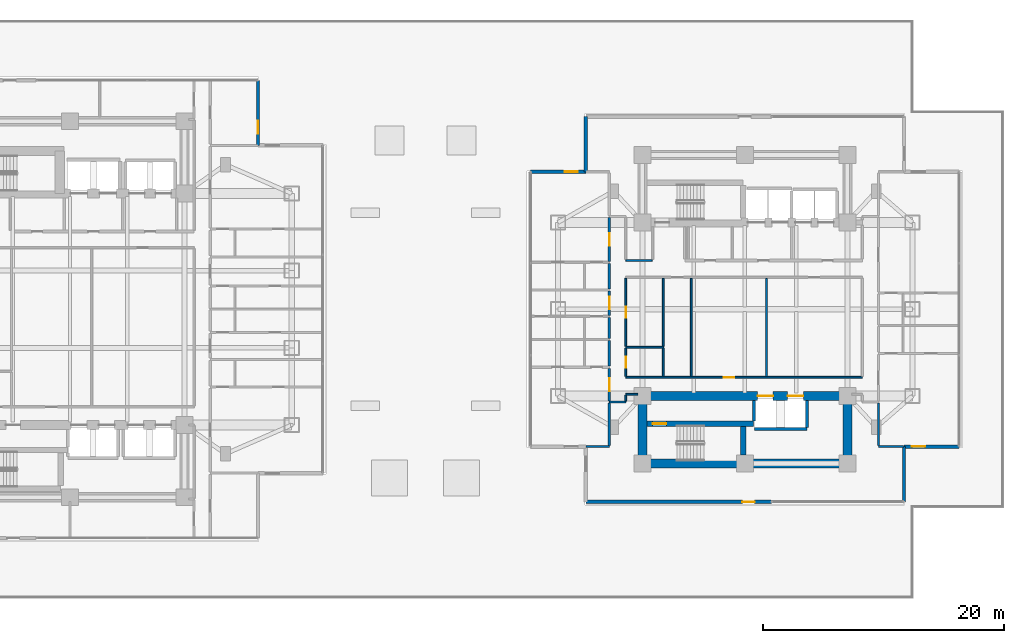
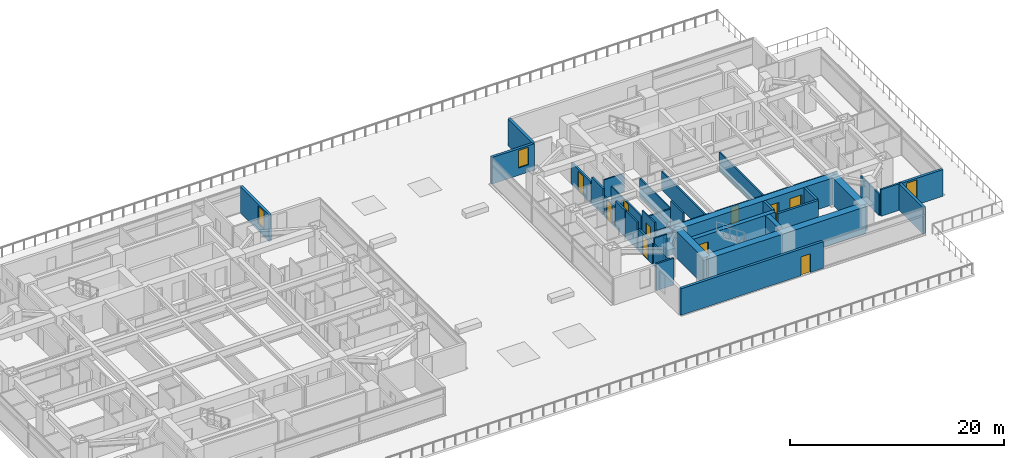
# One storey, part 16 of 26: 37 walls, 10 doors, 3 windows, 13 openings.
"""IFC4 building model written with IfcOpenShell, lengths in metres."""

from ifc_helpers import new_model, si_unit, direction, frame, frame_2d, origin, place, context, subcontext, project, spatial, rectangle, extrude, material, layer, layer_set, type_object, element, fill, save


model = new_model("IFC4")

# Units and contexts
model_context = context("Model", 3, precision=1e-05, world=origin(), true_north=direction((0.0, 1.0)))
body_context = subcontext(model_context, "Body", "Model", "MODEL_VIEW")
ifc_project = project(units=[si_unit("LENGTHUNIT", "METRE"), si_unit("AREAUNIT", "SQUARE_METRE"), si_unit("VOLUMEUNIT", "CUBIC_METRE"), si_unit("PLANEANGLEUNIT", "RADIAN"), si_unit("MASSUNIT", "GRAM", prefix="KILO")], contexts=[model_context])

# Site, building, storey
site_placement = place(None, origin())
site = spatial("IfcSite", under=ifc_project, at=site_placement, CompositionType="ELEMENT")
building_placement = place(site_placement, origin())
building = spatial("IfcBuilding", under=site, at=building_placement, Name="Mirazonda Arch Towers", CompositionType="ELEMENT")
storey_placement = place(building_placement, frame((0.0, 0.0, 22.39990234375)))
storey = spatial("IfcBuildingStorey", under=building, at=storey_placement, Name="L05", CompositionType="ELEMENT", Elevation=22.39990234375)

# Wall, opening, door
ifc_material_1 = material(Name="Concrete C50/60", Category="concrete")
ifc_layer_1 = layer(ifc_material_1, 0.449951171875, Name="WALL-CORE-450")
ifc_layer_set_1 = layer_set([ifc_layer_1], Name="Concrete C50/60")
wall_type_1 = type_object("IfcWallType", Name="WALL-CORE-450", PredefinedType="SHEAR", material=ifc_layer_set_1)
wall_1_placement = place(storey_placement, frame((68.3701171875, 18.5, 0.0), z_axis=(0.0, 0.0, 1.0), x_axis=(1.0, 0.0, 0.0)))
wall_1 = element("IfcWall", 1, at=wall_1_placement, inside=storey, type_object=wall_type_1, Name="L05 Stair Core Shear Wall 014", PredefinedType="SHEAR", context=body_context, shape_type="SweptSolid", body=[
    extrude(rectangle(XDim=8.849853515625, YDim=0.449951171875, at=frame_2d((4.4248046875, 0.0))), origin(), (0.0, 0.0, 1.0), 3.06005859375),
])
opening_1_placement = place(wall_1_placement, frame((0.469970703125, 0.0, 0.0)))
opening_1 = element("IfcOpeningElement", 2, at=opening_1_placement, cuts=wall_1, Name="Opening DR-135", PredefinedType="OPENING", context=body_context, shape_type="SweptSolid", body=[
    extrude(rectangle(XDim=1.14990234375, YDim=2.199951171875, at=frame_2d((0.574951171875, 1.10009765625))), frame((0.0, 0.23486328125, 0.0), z_axis=(0.0, -1.0, 0.0), x_axis=(1.0, 0.0, 0.0)), (0.0, 0.0, 1.0), 0.469970703125),
])
ifc_material_2 = material(Name="Architectural Brushed Steel S355", Category="steel")
door_type_1 = type_object("IfcDoorType", Name="DOOR-STAIR-FD90-1150", OperationType="NOTDEFINED", PredefinedType="DOOR", material=ifc_material_2)
door_1_placement = place(opening_1_placement, origin())
door_1 = element("IfcDoor", 3, at=door_1_placement, inside=storey, type_object=door_type_1, Name="L05 East Protected Stair South Door", OperationType="SINGLE_SWING_RIGHT", OverallHeight=2.199951171875, OverallWidth=1.14990234375, PredefinedType="DOOR", context=body_context, shape_type="SweptSolid", body=[
    extrude(rectangle(XDim=1.14990234375, YDim=2.199951171875, at=frame_2d((0.574951171875, 1.10009765625))), frame((0.0, 0.02490234375, 0.0), z_axis=(0.0, -1.0, 0.0), x_axis=(1.0, 0.0, 0.0)), (0.0, 0.0, 1.0), 0.050048828125),
])
fill(opening_1, door_1)

# Walls
wall_2_placement = place(storey_placement, frame((76.360107421875, 15.9150390625, 0.0), z_axis=(0.0, 0.0, 1.0), x_axis=(0.0, 1.0, 0.0)))
element("IfcWall", 4, at=wall_2_placement, inside=storey, type_object=wall_type_1, Name="L05 Stair Core Shear Wall 141", PredefinedType="SHEAR", context=body_context, shape_type="SweptSolid", body=[
    extrude(rectangle(XDim=2.349853515625, YDim=0.449951171875, at=frame_2d((1.1748046875, 0.0))), origin(), (0.0, 0.0, 1.0), 3.06005859375),
])
ifc_material_3 = material(Name="Concrete C60/75", Category="concrete")
ifc_layer_2 = layer(ifc_material_3, 0.75, Name="WALL-CORE-750")
ifc_layer_set_2 = layer_set([ifc_layer_2], Name="Concrete C60/75")
wall_type_2 = type_object("IfcWallType", Name="WALL-CORE-750", PredefinedType="SHEAR", material=ifc_layer_set_2)
wall_3_placement = place(storey_placement, frame((68.0, 15.199951171875, 0.0), z_axis=(0.0, 0.0, 1.0), x_axis=(1.0, 0.0, 0.0)))
element("IfcWall", 5, at=wall_3_placement, inside=storey, type_object=wall_type_2, Name="L05 T2S-S Core Shear Wall", PredefinedType="SHEAR", context=body_context, shape_type="SweptSolid", body=[
    extrude(rectangle(XDim=17.0, YDim=0.75, at=frame_2d((8.5, 0.0))), origin(), (0.0, 0.0, 1.0), 3.06005859375),
])
for number, where, z_axis, x_axis, name in (
    (6, (68.0, 15.199951171875, 0.0), (0.0, 0.0, 1.0), (0.0, 1.0, 0.0), "L05 T2S-W Core Shear Wall"),
    (7, (85.0, 15.199951171875, 0.0), (0.0, 0.0, 1.0), (0.0, 1.0, 0.0), "L05 T2S-E Core Shear Wall"),
):
    element("IfcWall", number, at=place(storey_placement, frame(where, z_axis=z_axis, x_axis=x_axis)), inside=storey, type_object=wall_type_2, Name=name, PredefinedType="SHEAR", context=body_context, shape_type="SweptSolid", body=[
        extrude(rectangle(XDim=5.60009765625, YDim=0.75, at=frame_2d((2.800048828125, 0.0))), origin(), (0.0, 0.0, 1.0), 3.06005859375),
    ])

# Wall, openings, doors
wall_4_placement = place(storey_placement, frame((68.0, 20.800048828125, 0.0), z_axis=(0.0, 0.0, 1.0), x_axis=(1.0, 0.0, 0.0)))
wall_4 = element("IfcWall", 8, at=wall_4_placement, inside=storey, type_object=wall_type_2, Name="L05 T2S-N Core Shear Wall", PredefinedType="SHEAR", context=body_context, shape_type="SweptSolid", body=[
    extrude(rectangle(XDim=17.0, YDim=0.75, at=frame_2d((8.5, 0.0))), origin(), (0.0, 0.0, 1.0), 3.06005859375),
])
opening_2_placement = place(wall_4_placement, frame((9.550048828125, 0.0, 0.0)))
opening_2 = element("IfcOpeningElement", 9, at=opening_2_placement, cuts=wall_4, Name="Opening LD-111", PredefinedType="OPENING", context=body_context, shape_type="SweptSolid", body=[
    extrude(rectangle(XDim=1.300048828125, YDim=2.300048828125, at=frame_2d((0.64990234375, 1.14990234375))), frame((0.0, 0.385009765625, 0.0), z_axis=(0.0, -1.0, 0.0), x_axis=(1.0, 0.0, 0.0)), (0.0, 0.0, 1.0), 0.77001953125),
])
opening_3_placement = place(wall_4_placement, frame((12.050048828125, 0.0, 0.0)))
opening_3 = element("IfcOpeningElement", 10, at=opening_3_placement, cuts=wall_4, Name="Opening LD-111", PredefinedType="OPENING", context=body_context, shape_type="SweptSolid", body=[
    extrude(rectangle(XDim=1.300048828125, YDim=2.300048828125, at=frame_2d((0.64990234375, 1.14990234375))), frame((0.0, 0.385009765625, 0.0), z_axis=(0.0, -1.0, 0.0), x_axis=(1.0, 0.0, 0.0)), (0.0, 0.0, 1.0), 0.77001953125),
])
door_type_2 = type_object("IfcDoorType", Name="DOOR-LIFT-LAND-1300", OperationType="NOTDEFINED", PredefinedType="DOOR", material=ifc_material_2)
door_2_placement = place(opening_2_placement, origin())
door_2 = element("IfcDoor", 11, at=door_2_placement, inside=storey, type_object=door_type_2, Name="L05 Lift Landing Sliding Door PL-T2H1", OperationType="DOUBLE_DOOR_SLIDING", OverallHeight=2.300048828125, OverallWidth=1.300048828125, PredefinedType="DOOR", context=body_context, shape_type="SweptSolid", body=[
    extrude(rectangle(XDim=1.300048828125, YDim=2.300048828125, at=frame_2d((0.64990234375, 1.14990234375))), frame((0.0, 0.02490234375, 0.0), z_axis=(0.0, -1.0, 0.0), x_axis=(1.0, 0.0, 0.0)), (0.0, 0.0, 1.0), 0.050048828125),
])
fill(opening_2, door_2)
door_3_placement = place(opening_3_placement, origin())
door_3 = element("IfcDoor", 12, at=door_3_placement, inside=storey, type_object=door_type_2, Name="L05 Lift Landing Sliding Door PL-T2H2", OperationType="DOUBLE_DOOR_SLIDING", OverallHeight=2.300048828125, OverallWidth=1.300048828125, PredefinedType="DOOR", context=body_context, shape_type="SweptSolid", body=[
    extrude(rectangle(XDim=1.300048828125, YDim=2.300048828125, at=frame_2d((0.64990234375, 1.14990234375))), frame((0.0, 0.02490234375, 0.0), z_axis=(0.0, -1.0, 0.0), x_axis=(1.0, 0.0, 0.0)), (0.0, 0.0, 1.0), 0.050048828125),
])
fill(opening_3, door_3)

# Wall, opening, window
ifc_material_4 = material(Name="Precast Concrete C40/50", Category="concrete")
ifc_layer_3 = layer(ifc_material_4, 0.280029296875, Name="WALL-EXT-WALL-280")
ifc_layer_set_3 = layer_set([ifc_layer_3], Name="Precast Concrete C40/50")
wall_type_3 = type_object("IfcWallType", Name="WALL-EXT-WALL-280", PredefinedType="SOLIDWALL", material=ifc_layer_set_3)
wall_5_placement = place(storey_placement, frame((36.10009765625, 41.60009765625, 0.0), z_axis=(0.0, 0.0, 1.0), x_axis=(0.0, 1.0, 0.0)))
wall_5 = element("IfcWall", 13, at=wall_5_placement, inside=storey, type_object=wall_type_3, Name="L05 T1 Notched NE Corner Wall WL-L05-T1-CNE", PredefinedType="SOLIDWALL", context=body_context, shape_type="SweptSolid", body=[
    extrude(rectangle(XDim=5.3798828125, YDim=0.280029296875, at=frame_2d((2.68994140625, 0.0))), origin(), (0.0, 0.0, 1.0), 3.0400390625),
])
opening_4_placement = place(wall_5_placement, frame((0.949951171875, 0.0, 0.85009765625)))
opening_4 = element("IfcOpeningElement", 14, at=opening_4_placement, cuts=wall_5, Name="Opening WN-108", PredefinedType="OPENING", context=body_context, shape_type="SweptSolid", body=[
    extrude(rectangle(XDim=1.10009765625, YDim=2.0, at=frame_2d((0.550048828125, 1.0))), frame((0.0, 0.14990234375, 0.0), z_axis=(0.0, -1.0, 0.0), x_axis=(1.0, 0.0, 0.0)), (0.0, 0.0, 1.0), 0.300048828125),
])
ifc_material_5 = material(Name="Insulated Low-E Solar Glass", Category="glass")
window_type = type_object("IfcWindowType", Name="WIN-NOTCH-1100x2000", PartitioningType="SINGLE_PANEL", PredefinedType="WINDOW", material=ifc_material_5)
window_1_placement = place(opening_4_placement, origin())
window_1 = element("IfcWindow", 15, at=window_1_placement, inside=storey, type_object=window_type, Name="L05 Punched Facade Window WN-L05-T1-CNE", OverallHeight=2.0, OverallWidth=1.10009765625, PartitioningType="SINGLE_PANEL", PredefinedType="WINDOW", context=body_context, shape_type="SweptSolid", body=[
    extrude(rectangle(XDim=1.10009765625, YDim=2.0, at=frame_2d((0.550048828125, 1.0))), frame((0.0, 0.030029296875, 0.0), z_axis=(0.0, -1.0, 0.0), x_axis=(1.0, 0.0, 0.0)), (0.0, 0.0, 1.0), 0.06005859375),
])
fill(opening_4, window_1)

# Wall, opening, door
wall_6_placement = place(storey_placement, frame((78.699951171875, 12.02001953125, 0.0), z_axis=(0.0, 0.0, 1.0), x_axis=(-1.0, 0.0, 0.0)))
wall_6 = element("IfcWall", 16, at=wall_6_placement, inside=storey, type_object=wall_type_3, Name="L05 L05 T2 Podium Roof Terrace Access Wall South WL-L05-T2-S-ACC", PredefinedType="SOLIDWALL", context=body_context, shape_type="SweptSolid", body=[
    extrude(rectangle(XDim=15.39990234375, YDim=0.280029296875, at=frame_2d((7.699951171875, 0.0))), origin(), (0.0, 0.0, 1.0), 3.0400390625),
])
opening_5_placement = place(wall_6_placement, frame((1.39990234375, 0.0, 0.0)))
opening_5 = element("IfcOpeningElement", 17, at=opening_5_placement, cuts=wall_6, Name="Opening DR-110", PredefinedType="OPENING", context=body_context, shape_type="SweptSolid", body=[
    extrude(rectangle(XDim=1.0, YDim=2.14990234375, at=frame_2d((0.5, 1.074951171875))), frame((0.0, 0.14990234375, 0.0), z_axis=(0.0, -1.0, 0.0), x_axis=(1.0, 0.0, 0.0)), (0.0, 0.0, 1.0), 0.300048828125),
])
door_type_3 = type_object("IfcDoorType", Name="DOOR-ROOF-EXT-1000", OperationType="NOTDEFINED", PredefinedType="DOOR", material=ifc_material_2)
door_4_placement = place(opening_5_placement, origin())
door_4 = element("IfcDoor", 18, at=door_4_placement, inside=storey, type_object=door_type_3, Name="L05 Exterior Door DR-PODRF-T2-S", OperationType="SINGLE_SWING_LEFT", OverallHeight=2.14990234375, OverallWidth=1.0, PredefinedType="DOOR", context=body_context, shape_type="SweptSolid", body=[
    extrude(rectangle(XDim=1.0, YDim=2.14990234375, at=frame_2d((0.5, 1.074951171875))), frame((0.0, 0.02490234375, 0.0), z_axis=(0.0, -1.0, 0.0), x_axis=(1.0, 0.0, 0.0)), (0.0, 0.0, 1.0), 0.050048828125),
])
fill(opening_5, door_4)

# Wall, opening, window
wall_7_placement = place(storey_placement, frame((89.699951171875, 16.60009765625, 0.0), z_axis=(0.0, 0.0, 1.0), x_axis=(1.0, 0.0, 0.0)))
wall_7 = element("IfcWall", 19, at=wall_7_placement, inside=storey, type_object=wall_type_3, Name="L05 T2 Corner Notch Return Wall WL-L05-T2-CSE1", PredefinedType="SOLIDWALL", context=body_context, shape_type="SweptSolid", body=[
    extrude(rectangle(XDim=4.580078125, YDim=0.280029296875, at=frame_2d((2.2900390625, 0.0))), origin(), (0.0, 0.0, 1.0), 3.0400390625),
])
opening_6_placement = place(wall_7_placement, frame((0.64990234375, 0.0, 0.85009765625)))
opening_6 = element("IfcOpeningElement", 20, at=opening_6_placement, cuts=wall_7, Name="Opening WN-108", PredefinedType="OPENING", context=body_context, shape_type="SweptSolid", body=[
    extrude(rectangle(XDim=1.10009765625, YDim=2.0, at=frame_2d((0.550048828125, 1.0))), frame((0.0, 0.14990234375, 0.0), z_axis=(0.0, -1.0, 0.0), x_axis=(1.0, 0.0, 0.0)), (0.0, 0.0, 1.0), 0.300048828125),
])
window_2_placement = place(opening_6_placement, origin())
window_2 = element("IfcWindow", 21, at=window_2_placement, inside=storey, type_object=window_type, Name="L05 Punched Facade Window WN-L05-T2-CSE1", OverallHeight=2.0, OverallWidth=1.10009765625, PartitioningType="SINGLE_PANEL", PredefinedType="WINDOW", context=body_context, shape_type="SweptSolid", body=[
    extrude(rectangle(XDim=1.10009765625, YDim=2.0, at=frame_2d((0.550048828125, 1.0))), frame((0.0, 0.030029296875, 0.0), z_axis=(0.0, -1.0, 0.0), x_axis=(1.0, 0.0, 0.0)), (0.0, 0.0, 1.0), 0.06005859375),
])
fill(opening_6, window_2)

# Wall
wall_8_placement = place(storey_placement, frame((89.699951171875, 12.02001953125, 0.0), z_axis=(0.0, 0.0, 1.0), x_axis=(0.0, 1.0, 0.0)))
element("IfcWall", 22, at=wall_8_placement, inside=storey, type_object=wall_type_3, Name="L05 T2 Corner Notch Return Wall WL-L05-T2-CSE2", PredefinedType="SOLIDWALL", context=body_context, shape_type="SweptSolid", body=[
    extrude(rectangle(XDim=4.580078125, YDim=0.280029296875, at=frame_2d((2.2900390625, 0.0))), origin(), (0.0, 0.0, 1.0), 3.0400390625),
])

# Wall, opening, window
wall_9_placement = place(storey_placement, frame((63.300048828125, 39.39990234375, 0.0), z_axis=(0.0, 0.0, 1.0), x_axis=(-1.0, 0.0, 0.0)))
wall_9 = element("IfcWall", 23, at=wall_9_placement, inside=storey, type_object=wall_type_3, Name="L05 T2 Corner Notch Return Wall WL-L05-T2-CNW1", PredefinedType="SOLIDWALL", context=body_context, shape_type="SweptSolid", body=[
    extrude(rectangle(XDim=4.580078125, YDim=0.280029296875, at=frame_2d((2.2900390625, 0.0))), origin(), (0.0, 0.0, 1.0), 3.0400390625),
])
opening_7_placement = place(wall_9_placement, frame((0.64990234375, 0.0, 0.85009765625)))
opening_7 = element("IfcOpeningElement", 24, at=opening_7_placement, cuts=wall_9, Name="Opening WN-108", PredefinedType="OPENING", context=body_context, shape_type="SweptSolid", body=[
    extrude(rectangle(XDim=1.10009765625, YDim=2.0, at=frame_2d((0.550048828125, 1.0))), frame((0.0, 0.14990234375, 0.0), z_axis=(0.0, -1.0, 0.0), x_axis=(1.0, 0.0, 0.0)), (0.0, 0.0, 1.0), 0.300048828125),
])
window_3_placement = place(opening_7_placement, origin())
window_3 = element("IfcWindow", 25, at=window_3_placement, inside=storey, type_object=window_type, Name="L05 Punched Facade Window WN-L05-T2-CNW1", OverallHeight=2.0, OverallWidth=1.10009765625, PartitioningType="SINGLE_PANEL", PredefinedType="WINDOW", context=body_context, shape_type="SweptSolid", body=[
    extrude(rectangle(XDim=1.10009765625, YDim=2.0, at=frame_2d((0.550048828125, 1.0))), frame((0.0, 0.030029296875, 0.0), z_axis=(0.0, -1.0, 0.0), x_axis=(1.0, 0.0, 0.0)), (0.0, 0.0, 1.0), 0.06005859375),
])
fill(opening_7, window_3)

# Walls
wall_10_placement = place(storey_placement, frame((63.300048828125, 43.97998046875, 0.0), z_axis=(0.0, 0.0, 1.0), x_axis=(0.0, -1.0, 0.0)))
element("IfcWall", 26, at=wall_10_placement, inside=storey, type_object=wall_type_3, Name="L05 T2 Corner Notch Return Wall WL-L05-T2-CNW2", PredefinedType="SOLIDWALL", context=body_context, shape_type="SweptSolid", body=[
    extrude(rectangle(XDim=4.580078125, YDim=0.280029296875, at=frame_2d((2.2900390625, 0.0))), origin(), (0.0, 0.0, 1.0), 3.0400390625),
])
ifc_material_6 = material(Name="Fire-Rated Gypsum Stud Partition")
ifc_layer_4 = layer(ifc_material_6, 0.14990234375, Name="WALL-PART-CORR-150")
ifc_layer_set_4 = layer_set([ifc_layer_4], Name="Fire-Rated Gypsum Stud Partition")
wall_type_4 = type_object("IfcWallType", Name="WALL-PART-CORR-150", PredefinedType="PARTITIONING", material=ifc_layer_set_4)
wall_11_placement = place(storey_placement, frame((65.25, 20.300048828125, 0.0), z_axis=(0.0, 0.0, 1.0), x_axis=(1.0, 0.0, 0.0)))
element("IfcWall", 27, at=wall_11_placement, inside=storey, type_object=wall_type_4, Name="L05 Interior Partition 017", PredefinedType="PARTITIONING", context=body_context, shape_type="SweptSolid", body=[
    extrude(rectangle(XDim=1.3701171875, YDim=0.14990234375, at=frame_2d((0.68505859375, 0.0))), origin(), (0.0, 0.0, 1.0), 3.06005859375),
])
wall_12_placement = place(storey_placement, frame((66.6201171875, 20.949951171875, 0.0), z_axis=(0.0, 0.0, 1.0), x_axis=(1.0, 0.0, 0.0)))
element("IfcWall", 28, at=wall_12_placement, inside=storey, type_object=wall_type_4, Name="L05 Interior Partition 019", PredefinedType="PARTITIONING", context=body_context, shape_type="SweptSolid", body=[
    extrude(rectangle(XDim=1.009765625, YDim=0.14990234375, at=frame_2d((0.5048828125, 0.0))), origin(), (0.0, 0.0, 1.0), 2.4521484375),
])

# Wall, opening, door
wall_13_placement = place(storey_placement, frame((66.6201171875, 22.35009765625, 0.0), z_axis=(0.0, 0.0, 1.0), x_axis=(1.0, 0.0, 0.0)))
wall_13 = element("IfcWall", 29, at=wall_13_placement, inside=storey, type_object=wall_type_4, Name="L05 Interior Partition 023", PredefinedType="PARTITIONING", context=body_context, shape_type="SweptSolid", body=[
    extrude(rectangle(XDim=19.6298828125, YDim=0.14990234375, at=frame_2d((9.81494140625, 0.0))), origin(), (0.0, 0.0, 1.0), 2.125),
])
opening_8_placement = place(wall_13_placement, frame((8.12890625, 0.0, 0.0)))
opening_8 = element("IfcOpeningElement", 30, at=opening_8_placement, cuts=wall_13, Name="Opening DR-128", PredefinedType="OPENING", context=body_context, shape_type="SweptSolid", body=[
    extrude(rectangle(XDim=0.85009765625, YDim=2.010009765625, at=frame_2d((0.425048828125, 1.0048828125))), frame((0.0, 0.0849609375, 0.0), z_axis=(0.0, -1.0, 0.0), x_axis=(1.0, 0.0, 0.0)), (0.0, 0.0, 1.0), 0.169921875),
])
door_type_4 = type_object("IfcDoorType", Name="DOOR-RISER-FD60-850", OperationType="NOTDEFINED", PredefinedType="DOOR", material=ifc_material_2)
door_5_placement = place(opening_8_placement, origin())
door_5 = element("IfcDoor", 31, at=door_5_placement, inside=storey, type_object=door_type_4, Name="L05 Executive Club Lounge Door", OperationType="SINGLE_SWING_LEFT", OverallHeight=2.010009765625, OverallWidth=0.85009765625, PredefinedType="DOOR", context=body_context, shape_type="SweptSolid", body=[
    extrude(rectangle(XDim=0.85009765625, YDim=2.010009765625, at=frame_2d((0.425048828125, 1.0048828125))), frame((0.0, 0.02490234375, 0.0), z_axis=(0.0, -1.0, 0.0), x_axis=(1.0, 0.0, 0.0)), (0.0, 0.0, 1.0), 0.050048828125),
])
fill(opening_8, door_5)

# Walls
wall_14_placement = place(storey_placement, frame((66.6201171875, 24.85009765625, 0.0), z_axis=(0.0, 0.0, 1.0), x_axis=(1.0, 0.0, 0.0)))
element("IfcWall", 32, at=wall_14_placement, inside=storey, type_object=wall_type_4, Name="L05 Interior Partition 028", PredefinedType="PARTITIONING", context=body_context, shape_type="SweptSolid", body=[
    extrude(rectangle(XDim=3.1298828125, YDim=0.14990234375, at=frame_2d((1.56494140625, 0.0))), origin(), (0.0, 0.0, 1.0), 2.125),
])
wall_15_placement = place(storey_placement, frame((66.6201171875, 32.050048828125, 0.0), z_axis=(0.0, 0.0, 1.0), x_axis=(1.0, 0.0, 0.0)))
element("IfcWall", 33, at=wall_15_placement, inside=storey, type_object=wall_type_4, Name="L05 Interior Partition 041", PredefinedType="PARTITIONING", context=body_context, shape_type="SweptSolid", body=[
    extrude(rectangle(XDim=2.179931640625, YDim=0.14990234375, at=frame_2d((1.08984375, 0.0))), origin(), (0.0, 0.0, 1.0), 2.125),
])
wall_16_placement = place(storey_placement, frame((66.6201171875, 20.385009765625, 0.0), z_axis=(0.0, 0.0, 1.0), x_axis=(0.0, 1.0, 0.0)))
element("IfcWall", 34, at=wall_16_placement, inside=storey, type_object=wall_type_4, Name="L05 Interior Partition 130", PredefinedType="PARTITIONING", context=body_context, shape_type="SweptSolid", body=[
    extrude(rectangle(XDim=0.47998046875, YDim=0.14990234375, at=frame_2d((0.239990234375, 0.0))), origin(), (0.0, 0.0, 1.0), 2.4521484375),
])

# Wall, opening, door
wall_17_placement = place(storey_placement, frame((66.6201171875, 22.43505859375, 0.0), z_axis=(0.0, 0.0, 1.0), x_axis=(0.0, 1.0, 0.0)))
wall_17 = element("IfcWall", 35, at=wall_17_placement, inside=storey, type_object=wall_type_4, Name="L05 Interior Partition 131", PredefinedType="PARTITIONING", context=body_context, shape_type="SweptSolid", body=[
    extrude(rectangle(XDim=2.329833984375, YDim=0.14990234375, at=frame_2d((1.1650390625, 0.0))), origin(), (0.0, 0.0, 1.0), 3.06005859375),
])
opening_9_placement = place(wall_17_placement, frame((0.715087890625, 0.0, 0.0)))
opening_9 = element("IfcOpeningElement", 36, at=opening_9_placement, cuts=wall_17, Name="Opening DR-120", PredefinedType="OPENING", context=body_context, shape_type="SweptSolid", body=[
    extrude(rectangle(XDim=0.89990234375, YDim=2.10009765625, at=frame_2d((0.449951171875, 1.050048828125))), frame((0.0, 0.0849609375, 0.0), z_axis=(0.0, -1.0, 0.0), x_axis=(1.0, 0.0, 0.0)), (0.0, 0.0, 1.0), 0.169921875),
])
door_type_5 = type_object("IfcDoorType", Name="DOOR-WC-900", OperationType="NOTDEFINED", PredefinedType="DOOR", material=ifc_material_2)
door_6_placement = place(opening_9_placement, origin())
door_6 = element("IfcDoor", 37, at=door_6_placement, inside=storey, type_object=door_type_5, Name="L05 Tower 2 Common Accessible WC Door", OperationType="SINGLE_SWING_LEFT", OverallHeight=2.10009765625, OverallWidth=0.89990234375, PredefinedType="DOOR", context=body_context, shape_type="SweptSolid", body=[
    extrude(rectangle(XDim=0.89990234375, YDim=2.10009765625, at=frame_2d((0.449951171875, 1.050048828125))), frame((0.0, 0.02490234375, 0.0), z_axis=(0.0, -1.0, 0.0), x_axis=(1.0, 0.0, 0.0)), (0.0, 0.0, 1.0), 0.050048828125),
])
fill(opening_9, door_6)

wall_18_placement = place(storey_placement, frame((66.6201171875, 24.93505859375, 0.0), z_axis=(0.0, 0.0, 1.0), x_axis=(0.0, 1.0, 0.0)))
wall_18 = element("IfcWall", 38, at=wall_18_placement, inside=storey, type_object=wall_type_4, Name="L05 Interior Partition 132", PredefinedType="PARTITIONING", context=body_context, shape_type="SweptSolid", body=[
    extrude(rectangle(XDim=5.6298828125, YDim=0.14990234375, at=frame_2d((2.81494140625, 0.0))), origin(), (0.0, 0.0, 1.0), 2.279052734375),
])
opening_10_placement = place(wall_18_placement, frame((2.340087890625, 0.0, 0.0)))
opening_10 = element("IfcOpeningElement", 39, at=opening_10_placement, cuts=wall_18, Name="Opening DR-104", PredefinedType="OPENING", context=body_context, shape_type="SweptSolid", body=[
    extrude(rectangle(XDim=0.949951171875, YDim=2.14990234375, at=frame_2d((0.47509765625, 1.074951171875))), frame((0.0, 0.0849609375, 0.0), z_axis=(0.0, -1.0, 0.0), x_axis=(1.0, 0.0, 0.0)), (0.0, 0.0, 1.0), 0.169921875),
])
door_type_6 = type_object("IfcDoorType", Name="DOOR-ROOM-950", OperationType="NOTDEFINED", PredefinedType="DOOR", material=ifc_material_2)
door_7_placement = place(opening_10_placement, origin())
door_7 = element("IfcDoor", 40, at=door_7_placement, inside=storey, type_object=door_type_6, Name="L05 L05 East Courtyard Reading Study Door", OperationType="SINGLE_SWING_LEFT", OverallHeight=2.14990234375, OverallWidth=0.949951171875, PredefinedType="DOOR", context=body_context, shape_type="SweptSolid", body=[
    extrude(rectangle(XDim=0.949951171875, YDim=2.14990234375, at=frame_2d((0.47509765625, 1.074951171875))), frame((0.0, 0.02490234375, 0.0), z_axis=(0.0, -1.0, 0.0), x_axis=(1.0, 0.0, 0.0)), (0.0, 0.0, 1.0), 0.050048828125),
])
fill(opening_10, door_7)

# Walls
wall_19_placement = place(storey_placement, frame((69.723388671875, 22.43505859375, 0.0), z_axis=(0.0, 0.0, 1.0), x_axis=(0.0, 1.0, 0.0)))
element("IfcWall", 41, at=wall_19_placement, inside=storey, type_object=wall_type_4, Name="L05 Interior Partition 135", PredefinedType="PARTITIONING", context=body_context, shape_type="SweptSolid", body=[
    extrude(rectangle(XDim=2.329833984375, YDim=0.14990234375, at=frame_2d((1.1650390625, 0.0))), origin(), (0.0, 0.0, 1.0), 3.06005859375),
])
wall_20_placement = place(storey_placement, frame((69.723388671875, 24.93505859375, 0.0), z_axis=(0.0, 0.0, 1.0), x_axis=(0.0, 1.0, 0.0)))
element("IfcWall", 42, at=wall_20_placement, inside=storey, type_object=wall_type_4, Name="L05 Interior Partition 136", PredefinedType="PARTITIONING", context=body_context, shape_type="SweptSolid", body=[
    extrude(rectangle(XDim=5.6298828125, YDim=0.14990234375, at=frame_2d((2.81494140625, 0.0))), origin(), (0.0, 0.0, 1.0), 2.125),
])
for number, where, z_axis, x_axis, name in (
    (43, (72.050048828125, 22.43505859375, 0.0), (0.0, 0.0, 1.0), (0.0, 1.0, 0.0), "L05 Interior Partition 139"),
    (44, (78.298095703125, 22.43505859375, 0.0), (0.0, 0.0, 1.0), (0.0, 1.0, 0.0), "L05 Interior Partition 144"),
):
    element("IfcWall", number, at=place(storey_placement, frame(where, z_axis=z_axis, x_axis=x_axis)), inside=storey, type_object=wall_type_4, Name=name, PredefinedType="PARTITIONING", context=body_context, shape_type="SweptSolid", body=[
        extrude(rectangle(XDim=8.1298828125, YDim=0.14990234375, at=frame_2d((4.06494140625, 0.0))), origin(), (0.0, 0.0, 1.0), 2.125),
    ])
ifc_material_7 = material(Name="Fire-Rated Gypsum Twin-Stud Assembly")
ifc_layer_5 = layer(ifc_material_7, 0.179931640625, Name="WALL-PART-DEMISE-180")
ifc_layer_set_5 = layer_set([ifc_layer_5], Name="Fire-Rated Gypsum Twin-Stud Assembly")
wall_type_5 = type_object("IfcWallType", Name="WALL-PART-DEMISE-180", PredefinedType="PARTITIONING", material=ifc_layer_set_5)
wall_21_placement = place(storey_placement, frame((63.320068359375, 16.60009765625, 0.0), z_axis=(0.0, 0.0, 1.0), x_axis=(1.0, 0.0, 0.0)))
element("IfcWall", 45, at=wall_21_placement, inside=storey, type_object=wall_type_5, Name="L05 Interior Partition 009", PredefinedType="PARTITIONING", context=body_context, shape_type="SweptSolid", body=[
    extrude(rectangle(XDim=1.929931640625, YDim=0.179931640625, at=frame_2d((0.96484375, 0.0))), origin(), (0.0, 0.0, 1.0), 3.06005859375),
])
wall_22_placement = place(storey_placement, frame((87.60009765625, 16.60009765625, 0.0), z_axis=(0.0, 0.0, 1.0), x_axis=(1.0, 0.0, 0.0)))
element("IfcWall", 46, at=wall_22_placement, inside=storey, type_object=wall_type_5, Name="L05 Interior Partition 010", PredefinedType="PARTITIONING", context=body_context, shape_type="SweptSolid", body=[
    extrude(rectangle(XDim=2.079833984375, YDim=0.179931640625, at=frame_2d((1.0400390625, 0.0))), origin(), (0.0, 0.0, 1.0), 3.06005859375),
])
wall_23_placement = place(storey_placement, frame((65.25, 16.699951171875, 0.0), z_axis=(0.0, 0.0, 1.0), x_axis=(0.0, 1.0, 0.0)))
element("IfcWall", 47, at=wall_23_placement, inside=storey, type_object=wall_type_5, Name="L05 Interior Partition 122", PredefinedType="PARTITIONING", context=body_context, shape_type="SweptSolid", body=[
    extrude(rectangle(XDim=3.51513671875, YDim=0.179931640625, at=frame_2d((1.757568359375, 0.0))), origin(), (0.0, 0.0, 1.0), 2.43603515625),
])

# Wall, opening, door
wall_24_placement = place(storey_placement, frame((65.25, 20.385009765625, 0.0), z_axis=(0.0, 0.0, 1.0), x_axis=(0.0, 1.0, 0.0)))
wall_24 = element("IfcWall", 48, at=wall_24_placement, inside=storey, type_object=wall_type_5, Name="L05 Interior Partition 123", PredefinedType="PARTITIONING", context=body_context, shape_type="SweptSolid", body=[
    extrude(rectangle(XDim=2.70703125, YDim=0.179931640625, at=frame_2d((1.353515625, 0.0))), origin(), (0.0, 0.0, 1.0), 2.4521484375),
])
opening_11_placement = place(wall_24_placement, frame((0.82861328125, 0.0, 0.0)))
opening_11 = element("IfcOpeningElement", 49, at=opening_11_placement, cuts=wall_24, Name="Opening DR-121", PredefinedType="OPENING", context=body_context, shape_type="SweptSolid", body=[
    extrude(rectangle(XDim=1.050048828125, YDim=2.199951171875, at=frame_2d((0.52490234375, 1.10009765625))), frame((0.0, 0.099853515625, 0.0), z_axis=(0.0, -1.0, 0.0), x_axis=(1.0, 0.0, 0.0)), (0.0, 0.0, 1.0), 0.199951171875),
])
door_type_7 = type_object("IfcDoorType", Name="DOOR-SUITE-FD60-1050", OperationType="NOTDEFINED", PredefinedType="DOOR", material=ifc_material_2)
door_8_placement = place(opening_11_placement, origin())
door_8 = element("IfcDoor", 50, at=door_8_placement, inside=storey, type_object=door_type_7, Name="L05 King Hotel Guestroom 1 Door", OperationType="SINGLE_SWING_RIGHT", OverallHeight=2.199951171875, OverallWidth=1.050048828125, PredefinedType="DOOR", context=body_context, shape_type="SweptSolid", body=[
    extrude(rectangle(XDim=1.050048828125, YDim=2.199951171875, at=frame_2d((0.52490234375, 1.10009765625))), frame((0.0, 0.02490234375, 0.0), z_axis=(0.0, -1.0, 0.0), x_axis=(1.0, 0.0, 0.0)), (0.0, 0.0, 1.0), 0.050048828125),
])
fill(opening_11, door_8)

# Walls
wall_25_placement = place(storey_placement, frame((65.25, 23.2919921875, 0.0), z_axis=(0.0, 0.0, 1.0), x_axis=(0.0, 1.0, 0.0)))
element("IfcWall", 51, at=wall_25_placement, inside=storey, type_object=wall_type_5, Name="L05 Interior Partition 124", PredefinedType="PARTITIONING", context=body_context, shape_type="SweptSolid", body=[
    extrude(rectangle(XDim=2.12744140625, YDim=0.179931640625, at=frame_2d((1.063720703125, 0.0))), origin(), (0.0, 0.0, 1.0), 3.06005859375),
])
wall_26_placement = place(storey_placement, frame((65.25, 25.564453125, 0.0), z_axis=(0.0, 0.0, 1.0), x_axis=(0.0, 1.0, 0.0)))
element("IfcWall", 52, at=wall_26_placement, inside=storey, type_object=wall_type_5, Name="L05 Interior Partition 125", PredefinedType="PARTITIONING", context=body_context, shape_type="SweptSolid", body=[
    extrude(rectangle(XDim=1.762451171875, YDim=0.179931640625, at=frame_2d((0.88134765625, 0.0))), origin(), (0.0, 0.0, 1.0), 3.06005859375),
])

# Wall, opening, door
wall_27_placement = place(storey_placement, frame((65.25, 27.4970703125, 0.0), z_axis=(0.0, 0.0, 1.0), x_axis=(0.0, 1.0, 0.0)))
wall_27 = element("IfcWall", 53, at=wall_27_placement, inside=storey, type_object=wall_type_5, Name="L05 Interior Partition 126", PredefinedType="PARTITIONING", context=body_context, shape_type="SweptSolid", body=[
    extrude(rectangle(XDim=2.013916015625, YDim=0.179931640625, at=frame_2d((1.0068359375, 0.0))), origin(), (0.0, 0.0, 1.0), 2.279052734375),
])
opening_12_placement = place(wall_27_placement, frame((0.48193359375, 0.0, 0.0)))
opening_12 = element("IfcOpeningElement", 54, at=opening_12_placement, cuts=wall_27, Name="Opening DR-121", PredefinedType="OPENING", context=body_context, shape_type="SweptSolid", body=[
    extrude(rectangle(XDim=1.050048828125, YDim=2.199951171875, at=frame_2d((0.52490234375, 1.10009765625))), frame((0.0, 0.099853515625, 0.0), z_axis=(0.0, -1.0, 0.0), x_axis=(1.0, 0.0, 0.0)), (0.0, 0.0, 1.0), 0.199951171875),
])
door_9_placement = place(opening_12_placement, origin())
door_9 = element("IfcDoor", 55, at=door_9_placement, inside=storey, type_object=door_type_7, Name="L05 Twin Hotel Guestroom 2 Door", OperationType="SINGLE_SWING_LEFT", OverallHeight=2.199951171875, OverallWidth=1.050048828125, PredefinedType="DOOR", context=body_context, shape_type="SweptSolid", body=[
    extrude(rectangle(XDim=1.050048828125, YDim=2.199951171875, at=frame_2d((0.52490234375, 1.10009765625))), frame((0.0, 0.02490234375, 0.0), z_axis=(0.0, -1.0, 0.0), x_axis=(1.0, 0.0, 0.0)), (0.0, 0.0, 1.0), 0.050048828125),
])
fill(opening_12, door_9)

# Wall
wall_28_placement = place(storey_placement, frame((65.25, 29.680908203125, 0.0), z_axis=(0.0, 0.0, 1.0), x_axis=(0.0, 1.0, 0.0)))
element("IfcWall", 56, at=wall_28_placement, inside=storey, type_object=wall_type_5, Name="L05 Interior Partition 127", PredefinedType="PARTITIONING", context=body_context, shape_type="SweptSolid", body=[
    extrude(rectangle(XDim=2.130126953125, YDim=0.179931640625, at=frame_2d((1.06494140625, 0.0))), origin(), (0.0, 0.0, 1.0), 3.06005859375),
])

# Wall, opening, door
wall_29_placement = place(storey_placement, frame((65.25, 31.98095703125, 0.0), z_axis=(0.0, 0.0, 1.0), x_axis=(0.0, 1.0, 0.0)))
wall_29 = element("IfcWall", 57, at=wall_29_placement, inside=storey, type_object=wall_type_5, Name="L05 Interior Partition 128", PredefinedType="PARTITIONING", context=body_context, shape_type="SweptSolid", body=[
    extrude(rectangle(XDim=3.634033203125, YDim=0.179931640625, at=frame_2d((1.81689453125, 0.0))), origin(), (0.0, 0.0, 1.0), 2.4521484375),
])
opening_13_placement = place(wall_29_placement, frame((1.2919921875, 0.0, 0.0)))
opening_13 = element("IfcOpeningElement", 58, at=opening_13_placement, cuts=wall_29, Name="Opening DR-121", PredefinedType="OPENING", context=body_context, shape_type="SweptSolid", body=[
    extrude(rectangle(XDim=1.050048828125, YDim=2.199951171875, at=frame_2d((0.52490234375, 1.10009765625))), frame((0.0, 0.099853515625, 0.0), z_axis=(0.0, -1.0, 0.0), x_axis=(1.0, 0.0, 0.0)), (0.0, 0.0, 1.0), 0.199951171875),
])
door_10_placement = place(opening_13_placement, origin())
door_10 = element("IfcDoor", 59, at=door_10_placement, inside=storey, type_object=door_type_7, Name="L05 King Hotel Guestroom 3 Door", OperationType="SINGLE_SWING_RIGHT", OverallHeight=2.199951171875, OverallWidth=1.050048828125, PredefinedType="DOOR", context=body_context, shape_type="SweptSolid", body=[
    extrude(rectangle(XDim=1.050048828125, YDim=2.199951171875, at=frame_2d((0.52490234375, 1.10009765625))), frame((0.0, 0.02490234375, 0.0), z_axis=(0.0, -1.0, 0.0), x_axis=(1.0, 0.0, 0.0)), (0.0, 0.0, 1.0), 0.050048828125),
])
fill(opening_13, door_10)

# Walls
wall_30_placement = place(storey_placement, frame((87.60009765625, 16.699951171875, 0.0), z_axis=(0.0, 0.0, 1.0), x_axis=(0.0, 1.0, 0.0)))
element("IfcWall", 60, at=wall_30_placement, inside=storey, type_object=wall_type_5, Name="L05 Interior Partition 153", PredefinedType="PARTITIONING", context=body_context, shape_type="SweptSolid", body=[
    extrude(rectangle(XDim=3.51513671875, YDim=0.179931640625, at=frame_2d((1.757568359375, 0.0))), origin(), (0.0, 0.0, 1.0), 2.43603515625),
])
ifc_material_8 = material(Name="Concrete C40/50", Category="concrete")
ifc_layer_6 = layer(ifc_material_8, 0.25, Name="WALL-SHAFT-250")
ifc_layer_set_6 = layer_set([ifc_layer_6], Name="Concrete C40/50")
wall_type_6 = type_object("IfcWallType", Name="WALL-SHAFT-250", PredefinedType="SOLIDWALL", material=ifc_layer_set_6)
wall_31_placement = place(storey_placement, frame((77.300048828125, 18.050048828125, 0.0), z_axis=(0.0, 0.0, 1.0), x_axis=(1.0, 0.0, 0.0)))
element("IfcWall", 61, at=wall_31_placement, inside=storey, type_object=wall_type_6, Name="L05 Interior Partition 011", PredefinedType="SOLIDWALL", context=body_context, shape_type="SweptSolid", body=[
    extrude(rectangle(XDim=4.349853515625, YDim=0.25, at=frame_2d((2.1748046875, 0.0))), origin(), (0.0, 0.0, 1.0), 3.06005859375),
])
wall_32_placement = place(storey_placement, frame((77.260009765625, 18.735107421875, 0.0), z_axis=(0.0, 0.0, 1.0), x_axis=(0.0, 1.0, 0.0)))
element("IfcWall", 62, at=wall_32_placement, inside=storey, type_object=wall_type_6, Name="L05 Interior Partition 143", PredefinedType="SOLIDWALL", context=body_context, shape_type="SweptSolid", body=[
    extrude(rectangle(XDim=1.69482421875, YDim=0.25, at=frame_2d((0.847412109375, 0.0))), origin(), (0.0, 0.0, 1.0), 3.06005859375),
])
wall_33_placement = place(storey_placement, frame((81.64990234375, 18.18505859375, 0.0), z_axis=(0.0, 0.0, 1.0), x_axis=(0.0, 1.0, 0.0)))
element("IfcWall", 63, at=wall_33_placement, inside=storey, type_object=wall_type_6, Name="L05 Interior Partition 147", PredefinedType="SOLIDWALL", context=body_context, shape_type="SweptSolid", body=[
    extrude(rectangle(XDim=2.244873046875, YDim=0.25, at=frame_2d((1.12255859375, 0.0))), origin(), (0.0, 0.0, 1.0), 3.06005859375),
])

save(model, "model.ifc")
